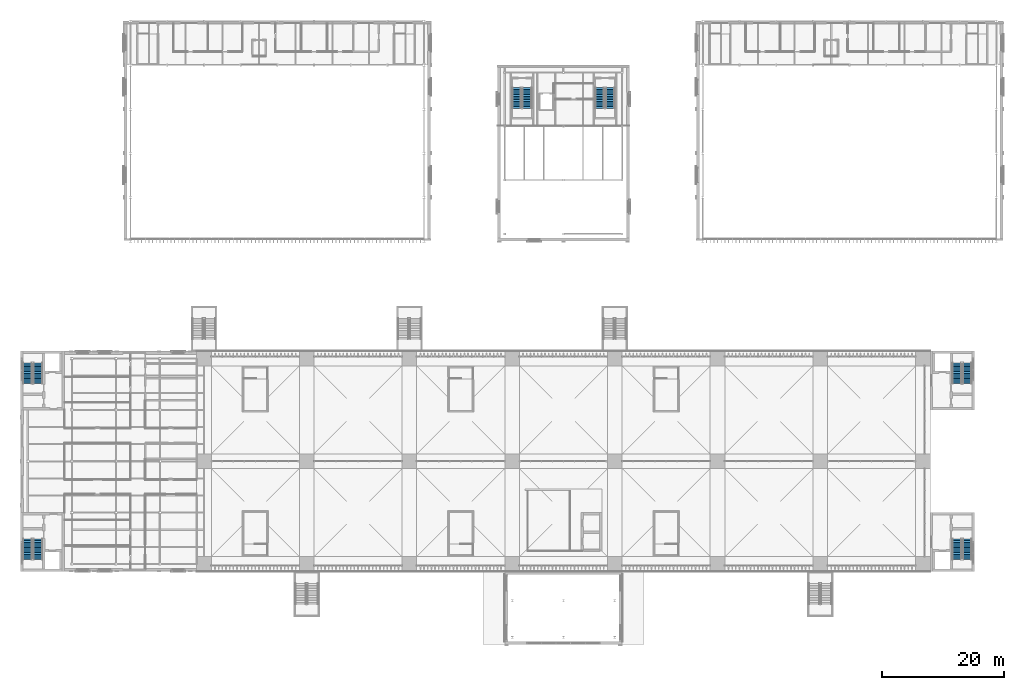
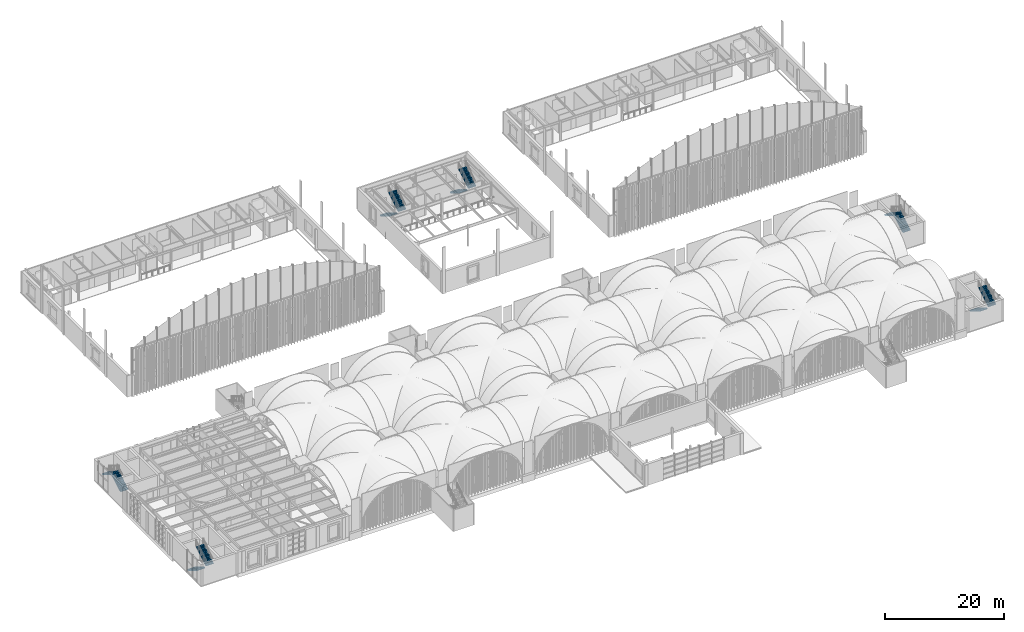
# One storey, part 105 of 169: 12 stair flights, 6 elements without a shape of their own.
"""IFC4 building model written with IfcOpenShell, lengths in metres."""

from ifc_helpers import new_model, si_unit, direction, frame, origin, place, context, subcontext, project, spatial, polyline, outline, extrude, material, type_object, element, aggregate, save


model = new_model("IFC4")

# Units and contexts
model_context = context("Model", 3, precision=1e-05, world=origin(), true_north=direction((0.0, 1.0)))
body_context = subcontext(model_context, "Body", "Model", "MODEL_VIEW")
ifc_project = project(units=[si_unit("LENGTHUNIT", "METRE"), si_unit("AREAUNIT", "SQUARE_METRE"), si_unit("VOLUMEUNIT", "CUBIC_METRE"), si_unit("PLANEANGLEUNIT", "RADIAN"), si_unit("MASSUNIT", "GRAM", prefix="KILO")], contexts=[model_context])

# Site, building, storey
site_placement = place(None, origin())
site = spatial("IfcSite", under=ifc_project, at=site_placement, CompositionType="ELEMENT")
building_placement = place(site_placement, origin())
building = spatial("IfcBuilding", under=site, at=building_placement, Name="Verrick Yard Athletic Hall", CompositionType="ELEMENT")
storey_placement = place(building_placement, frame((0.0, 0.0, 4.39990234375)))
storey = spatial("IfcBuildingStorey", under=building, at=storey_placement, Name="L01", CompositionType="ELEMENT", Elevation=4.39990234375)

# Stair, stair flights
ifc_material = material(Name="Concrete 35 MPa", Category="concrete")
stair_type = type_object("IfcStairType", Name="Stair ST1 1500 wide 26 risers", PredefinedType="HALF_TURN_STAIR", material=ifc_material)
stair_1_placement = place(storey_placement, origin())
stair_1 = element("IfcStair", 1, at=stair_1_placement, inside=storey, type_object=stair_type, Name="Wing south-west stair L01", PredefinedType="HALF_TURN_STAIR")
stair_flight_type = type_object("IfcStairFlightType", Name="Stair flight SF1 1500 wide 13 risers", PredefinedType="STRAIGHT", material=ifc_material)
stair_flight_1_placement = place(storey_placement, frame((11.14990234375, 23.300048828125, 0.0), z_axis=(0.0, 0.0, 1.0), x_axis=(0.0, -1.0, 0.0)))
stair_flight_1 = element("IfcStairFlight", 2, at=stair_flight_1_placement, type_object=stair_flight_type, Name="ST1 flight 1", NumberOfRisers=13, NumberOfTreads=12, PredefinedType="STRAIGHT", RiserHeight=0.169230769, TreadLength=0.28, context=body_context, shape_type="SweptSolid", body=[
    extrude(outline(polyline([(0.0, 0.0), (0.0, 0.169189453125), (0.280029296875, 0.169189453125), (0.280029296875, 0.33837890625), (0.56005859375, 0.33837890625), (0.56005859375, 0.5078125), (0.840087890625, 0.5078125), (0.840087890625, 0.677001953125), (1.1201171875, 0.677001953125), (1.1201171875, 0.84619140625), (1.39990234375, 0.84619140625), (1.39990234375, 1.015380859375), (1.679931640625, 1.015380859375), (1.679931640625, 1.1845703125), (1.9599609375, 1.1845703125), (1.9599609375, 1.353759765625), (2.239990234375, 1.353759765625), (2.239990234375, 1.523193359375), (2.52001953125, 1.523193359375), (2.52001953125, 1.6923828125), (2.800048828125, 1.6923828125), (2.800048828125, 1.861572265625), (3.080078125, 1.861572265625), (3.080078125, 2.03076171875), (3.360107421875, 2.03076171875), (3.360107421875, 2.199951171875), (3.360107421875, 1.855712890625), (0.289794921875, 0.0), (0.0, 0.0)])), frame((0.0, 0.75, 0.0), z_axis=(0.0, -1.0, 0.0), x_axis=(1.0, 0.0, 0.0)), (0.0, 0.0, 1.0), 1.5),
])
stair_flight_2_placement = place(storey_placement, frame((12.85009765625, 19.93994140625, 2.2001953125), z_axis=(0.0, 0.0, 1.0), x_axis=(0.0, 1.0, 0.0)))
stair_flight_2 = element("IfcStairFlight", 3, at=stair_flight_2_placement, type_object=stair_flight_type, Name="ST1 flight 2", NumberOfRisers=13, NumberOfTreads=12, PredefinedType="STRAIGHT", RiserHeight=0.169230769, TreadLength=0.28, context=body_context, shape_type="SweptSolid", body=[
    extrude(outline(polyline([(0.0, 0.0), (0.0, 0.169189453125), (0.280029296875, 0.169189453125), (0.280029296875, 0.33837890625), (0.56005859375, 0.33837890625), (0.56005859375, 0.5078125), (0.840087890625, 0.5078125), (0.840087890625, 0.677001953125), (1.1201171875, 0.677001953125), (1.1201171875, 0.84619140625), (1.39990234375, 0.84619140625), (1.39990234375, 1.015380859375), (1.679931640625, 1.015380859375), (1.679931640625, 1.1845703125), (1.9599609375, 1.1845703125), (1.9599609375, 1.353759765625), (2.239990234375, 1.353759765625), (2.239990234375, 1.523193359375), (2.52001953125, 1.523193359375), (2.52001953125, 1.6923828125), (2.800048828125, 1.6923828125), (2.800048828125, 1.861572265625), (3.080078125, 1.861572265625), (3.080078125, 2.03076171875), (3.360107421875, 2.03076171875), (3.360107421875, 2.199951171875), (3.360107421875, 1.855712890625), (0.289794921875, 0.0), (0.0, 0.0)])), frame((0.0, 0.75, 0.0), z_axis=(0.0, -1.0, 0.0), x_axis=(1.0, 0.0, 0.0)), (0.0, 0.0, 1.0), 1.5),
])
aggregate(stair_1, [stair_flight_1, stair_flight_2])

stair_2_placement = place(storey_placement, origin())
stair_2 = element("IfcStair", 4, at=stair_2_placement, inside=storey, type_object=stair_type, Name="Wing north-west stair L01", PredefinedType="HALF_TURN_STAIR")
stair_flight_3_placement = place(storey_placement, frame((12.85009765625, 48.699951171875, 0.0), z_axis=(0.0, 0.0, 1.0), x_axis=(0.0, 1.0, 0.0)))
stair_flight_3 = element("IfcStairFlight", 5, at=stair_flight_3_placement, type_object=stair_flight_type, Name="ST1 flight 1", NumberOfRisers=13, NumberOfTreads=12, PredefinedType="STRAIGHT", RiserHeight=0.169230769, TreadLength=0.28, context=body_context, shape_type="SweptSolid", body=[
    extrude(outline(polyline([(0.0, 0.0), (0.0, 0.169189453125), (0.280029296875, 0.169189453125), (0.280029296875, 0.33837890625), (0.56005859375, 0.33837890625), (0.56005859375, 0.5078125), (0.840087890625, 0.5078125), (0.840087890625, 0.677001953125), (1.1201171875, 0.677001953125), (1.1201171875, 0.84619140625), (1.39990234375, 0.84619140625), (1.39990234375, 1.015380859375), (1.679931640625, 1.015380859375), (1.679931640625, 1.1845703125), (1.9599609375, 1.1845703125), (1.9599609375, 1.353759765625), (2.239990234375, 1.353759765625), (2.239990234375, 1.523193359375), (2.52001953125, 1.523193359375), (2.52001953125, 1.6923828125), (2.800048828125, 1.6923828125), (2.800048828125, 1.861572265625), (3.080078125, 1.861572265625), (3.080078125, 2.03076171875), (3.360107421875, 2.03076171875), (3.360107421875, 2.199951171875), (3.360107421875, 1.855712890625), (0.289794921875, 0.0), (0.0, 0.0)])), frame((0.0, 0.75, 0.0), z_axis=(0.0, -1.0, 0.0), x_axis=(1.0, 0.0, 0.0)), (0.0, 0.0, 1.0), 1.5),
])
stair_flight_4_placement = place(storey_placement, frame((11.14990234375, 52.06005859375, 2.2001953125), z_axis=(0.0, 0.0, 1.0), x_axis=(0.0, -1.0, 0.0)))
stair_flight_4 = element("IfcStairFlight", 6, at=stair_flight_4_placement, type_object=stair_flight_type, Name="ST1 flight 2", NumberOfRisers=13, NumberOfTreads=12, PredefinedType="STRAIGHT", RiserHeight=0.169230769, TreadLength=0.28, context=body_context, shape_type="SweptSolid", body=[
    extrude(outline(polyline([(0.0, 0.0), (0.0, 0.169189453125), (0.280029296875, 0.169189453125), (0.280029296875, 0.33837890625), (0.56005859375, 0.33837890625), (0.56005859375, 0.5078125), (0.840087890625, 0.5078125), (0.840087890625, 0.677001953125), (1.1201171875, 0.677001953125), (1.1201171875, 0.84619140625), (1.39990234375, 0.84619140625), (1.39990234375, 1.015380859375), (1.679931640625, 1.015380859375), (1.679931640625, 1.1845703125), (1.9599609375, 1.1845703125), (1.9599609375, 1.353759765625), (2.239990234375, 1.353759765625), (2.239990234375, 1.523193359375), (2.52001953125, 1.523193359375), (2.52001953125, 1.6923828125), (2.800048828125, 1.6923828125), (2.800048828125, 1.861572265625), (3.080078125, 1.861572265625), (3.080078125, 2.03076171875), (3.360107421875, 2.03076171875), (3.360107421875, 2.199951171875), (3.360107421875, 1.855712890625), (0.289794921875, 0.0), (0.0, 0.0)])), frame((0.0, 0.75, 0.0), z_axis=(0.0, -1.0, 0.0), x_axis=(1.0, 0.0, 0.0)), (0.0, 0.0, 1.0), 1.5),
])
aggregate(stair_2, [stair_flight_3, stair_flight_4])

stair_3_placement = place(storey_placement, origin())
stair_3 = element("IfcStair", 7, at=stair_3_placement, inside=storey, type_object=stair_type, Name="Plinth south-east stair L01", PredefinedType="HALF_TURN_STAIR")
stair_flight_5_placement = place(storey_placement, frame((163.14990234375, 23.300048828125, 0.0), z_axis=(0.0, 0.0, 1.0), x_axis=(0.0, -1.0, 0.0)))
stair_flight_5 = element("IfcStairFlight", 8, at=stair_flight_5_placement, type_object=stair_flight_type, Name="ST1 flight 1", NumberOfRisers=13, NumberOfTreads=12, PredefinedType="STRAIGHT", RiserHeight=0.169230769, TreadLength=0.28, context=body_context, shape_type="SweptSolid", body=[
    extrude(outline(polyline([(0.0, 0.0), (0.0, 0.169189453125), (0.280029296875, 0.169189453125), (0.280029296875, 0.33837890625), (0.56005859375, 0.33837890625), (0.56005859375, 0.5078125), (0.840087890625, 0.5078125), (0.840087890625, 0.677001953125), (1.1201171875, 0.677001953125), (1.1201171875, 0.84619140625), (1.39990234375, 0.84619140625), (1.39990234375, 1.015380859375), (1.679931640625, 1.015380859375), (1.679931640625, 1.1845703125), (1.9599609375, 1.1845703125), (1.9599609375, 1.353759765625), (2.239990234375, 1.353759765625), (2.239990234375, 1.523193359375), (2.52001953125, 1.523193359375), (2.52001953125, 1.6923828125), (2.800048828125, 1.6923828125), (2.800048828125, 1.861572265625), (3.080078125, 1.861572265625), (3.080078125, 2.03076171875), (3.360107421875, 2.03076171875), (3.360107421875, 2.199951171875), (3.360107421875, 1.855712890625), (0.289794921875, 0.0), (0.0, 0.0)])), frame((0.0, 0.75, 0.0), z_axis=(0.0, -1.0, 0.0), x_axis=(1.0, 0.0, 0.0)), (0.0, 0.0, 1.0), 1.5),
])
stair_flight_6_placement = place(storey_placement, frame((164.85009765625, 19.93994140625, 2.2001953125), z_axis=(0.0, 0.0, 1.0), x_axis=(0.0, 1.0, 0.0)))
stair_flight_6 = element("IfcStairFlight", 9, at=stair_flight_6_placement, type_object=stair_flight_type, Name="ST1 flight 2", NumberOfRisers=13, NumberOfTreads=12, PredefinedType="STRAIGHT", RiserHeight=0.169230769, TreadLength=0.28, context=body_context, shape_type="SweptSolid", body=[
    extrude(outline(polyline([(0.0, 0.0), (0.0, 0.169189453125), (0.280029296875, 0.169189453125), (0.280029296875, 0.33837890625), (0.56005859375, 0.33837890625), (0.56005859375, 0.5078125), (0.840087890625, 0.5078125), (0.840087890625, 0.677001953125), (1.1201171875, 0.677001953125), (1.1201171875, 0.84619140625), (1.39990234375, 0.84619140625), (1.39990234375, 1.015380859375), (1.679931640625, 1.015380859375), (1.679931640625, 1.1845703125), (1.9599609375, 1.1845703125), (1.9599609375, 1.353759765625), (2.239990234375, 1.353759765625), (2.239990234375, 1.523193359375), (2.52001953125, 1.523193359375), (2.52001953125, 1.6923828125), (2.800048828125, 1.6923828125), (2.800048828125, 1.861572265625), (3.080078125, 1.861572265625), (3.080078125, 2.03076171875), (3.360107421875, 2.03076171875), (3.360107421875, 2.199951171875), (3.360107421875, 1.855712890625), (0.289794921875, 0.0), (0.0, 0.0)])), frame((0.0, 0.75, 0.0), z_axis=(0.0, -1.0, 0.0), x_axis=(1.0, 0.0, 0.0)), (0.0, 0.0, 1.0), 1.5),
])
aggregate(stair_3, [stair_flight_5, stair_flight_6])

stair_4_placement = place(storey_placement, origin())
stair_4 = element("IfcStair", 10, at=stair_4_placement, inside=storey, type_object=stair_type, Name="Plinth north-east stair L01", PredefinedType="HALF_TURN_STAIR")
stair_flight_7_placement = place(storey_placement, frame((164.85009765625, 48.699951171875, 0.0), z_axis=(0.0, 0.0, 1.0), x_axis=(0.0, 1.0, 0.0)))
stair_flight_7 = element("IfcStairFlight", 11, at=stair_flight_7_placement, type_object=stair_flight_type, Name="ST1 flight 1", NumberOfRisers=13, NumberOfTreads=12, PredefinedType="STRAIGHT", RiserHeight=0.169230769, TreadLength=0.28, context=body_context, shape_type="SweptSolid", body=[
    extrude(outline(polyline([(0.0, 0.0), (0.0, 0.169189453125), (0.280029296875, 0.169189453125), (0.280029296875, 0.33837890625), (0.56005859375, 0.33837890625), (0.56005859375, 0.5078125), (0.840087890625, 0.5078125), (0.840087890625, 0.677001953125), (1.1201171875, 0.677001953125), (1.1201171875, 0.84619140625), (1.39990234375, 0.84619140625), (1.39990234375, 1.015380859375), (1.679931640625, 1.015380859375), (1.679931640625, 1.1845703125), (1.9599609375, 1.1845703125), (1.9599609375, 1.353759765625), (2.239990234375, 1.353759765625), (2.239990234375, 1.523193359375), (2.52001953125, 1.523193359375), (2.52001953125, 1.6923828125), (2.800048828125, 1.6923828125), (2.800048828125, 1.861572265625), (3.080078125, 1.861572265625), (3.080078125, 2.03076171875), (3.360107421875, 2.03076171875), (3.360107421875, 2.199951171875), (3.360107421875, 1.855712890625), (0.289794921875, 0.0), (0.0, 0.0)])), frame((0.0, 0.75, 0.0), z_axis=(0.0, -1.0, 0.0), x_axis=(1.0, 0.0, 0.0)), (0.0, 0.0, 1.0), 1.5),
])
stair_flight_8_placement = place(storey_placement, frame((163.14990234375, 52.06005859375, 2.2001953125), z_axis=(0.0, 0.0, 1.0), x_axis=(0.0, -1.0, 0.0)))
stair_flight_8 = element("IfcStairFlight", 12, at=stair_flight_8_placement, type_object=stair_flight_type, Name="ST1 flight 2", NumberOfRisers=13, NumberOfTreads=12, PredefinedType="STRAIGHT", RiserHeight=0.169230769, TreadLength=0.28, context=body_context, shape_type="SweptSolid", body=[
    extrude(outline(polyline([(0.0, 0.0), (0.0, 0.169189453125), (0.280029296875, 0.169189453125), (0.280029296875, 0.33837890625), (0.56005859375, 0.33837890625), (0.56005859375, 0.5078125), (0.840087890625, 0.5078125), (0.840087890625, 0.677001953125), (1.1201171875, 0.677001953125), (1.1201171875, 0.84619140625), (1.39990234375, 0.84619140625), (1.39990234375, 1.015380859375), (1.679931640625, 1.015380859375), (1.679931640625, 1.1845703125), (1.9599609375, 1.1845703125), (1.9599609375, 1.353759765625), (2.239990234375, 1.353759765625), (2.239990234375, 1.523193359375), (2.52001953125, 1.523193359375), (2.52001953125, 1.6923828125), (2.800048828125, 1.6923828125), (2.800048828125, 1.861572265625), (3.080078125, 1.861572265625), (3.080078125, 2.03076171875), (3.360107421875, 2.03076171875), (3.360107421875, 2.199951171875), (3.360107421875, 1.855712890625), (0.289794921875, 0.0), (0.0, 0.0)])), frame((0.0, 0.75, 0.0), z_axis=(0.0, -1.0, 0.0), x_axis=(1.0, 0.0, 0.0)), (0.0, 0.0, 1.0), 1.5),
])
aggregate(stair_4, [stair_flight_7, stair_flight_8])

stair_5_placement = place(storey_placement, origin())
stair_5 = element("IfcStair", 13, at=stair_5_placement, inside=storey, type_object=stair_type, Name="Climbing hall east stair L01", PredefinedType="HALF_TURN_STAIR")
stair_flight_9_placement = place(storey_placement, frame((104.75, 97.10009765625, 0.0), z_axis=(0.0, 0.0, 1.0), x_axis=(0.0, -1.0, 0.0)))
stair_flight_9 = element("IfcStairFlight", 14, at=stair_flight_9_placement, type_object=stair_flight_type, Name="ST1 flight 1", NumberOfRisers=13, NumberOfTreads=12, PredefinedType="STRAIGHT", RiserHeight=0.169230769, TreadLength=0.28, context=body_context, shape_type="SweptSolid", body=[
    extrude(outline(polyline([(0.0, 0.0), (0.0, 0.169189453125), (0.280029296875, 0.169189453125), (0.280029296875, 0.33837890625), (0.56005859375, 0.33837890625), (0.56005859375, 0.5078125), (0.840087890625, 0.5078125), (0.840087890625, 0.677001953125), (1.1201171875, 0.677001953125), (1.1201171875, 0.84619140625), (1.39990234375, 0.84619140625), (1.39990234375, 1.015380859375), (1.679931640625, 1.015380859375), (1.679931640625, 1.1845703125), (1.9599609375, 1.1845703125), (1.9599609375, 1.353759765625), (2.239990234375, 1.353759765625), (2.239990234375, 1.523193359375), (2.52001953125, 1.523193359375), (2.52001953125, 1.6923828125), (2.800048828125, 1.6923828125), (2.800048828125, 1.861572265625), (3.080078125, 1.861572265625), (3.080078125, 2.03076171875), (3.360107421875, 2.03076171875), (3.360107421875, 2.199951171875), (3.360107421875, 1.855712890625), (0.289794921875, 0.0), (0.0, 0.0)])), frame((0.0, 0.75, 0.0), z_axis=(0.0, -1.0, 0.0), x_axis=(1.0, 0.0, 0.0)), (0.0, 0.0, 1.0), 1.5),
])
stair_flight_10_placement = place(storey_placement, frame((106.449951171875, 93.739990234375, 2.2001953125), z_axis=(0.0, 0.0, 1.0), x_axis=(0.0, 1.0, 0.0)))
stair_flight_10 = element("IfcStairFlight", 15, at=stair_flight_10_placement, type_object=stair_flight_type, Name="ST1 flight 2", NumberOfRisers=13, NumberOfTreads=12, PredefinedType="STRAIGHT", RiserHeight=0.169230769, TreadLength=0.28, context=body_context, shape_type="SweptSolid", body=[
    extrude(outline(polyline([(0.0, 0.0), (0.0, 0.169189453125), (0.280029296875, 0.169189453125), (0.280029296875, 0.33837890625), (0.56005859375, 0.33837890625), (0.56005859375, 0.5078125), (0.840087890625, 0.5078125), (0.840087890625, 0.677001953125), (1.1201171875, 0.677001953125), (1.1201171875, 0.84619140625), (1.39990234375, 0.84619140625), (1.39990234375, 1.015380859375), (1.679931640625, 1.015380859375), (1.679931640625, 1.1845703125), (1.9599609375, 1.1845703125), (1.9599609375, 1.353759765625), (2.239990234375, 1.353759765625), (2.239990234375, 1.523193359375), (2.52001953125, 1.523193359375), (2.52001953125, 1.6923828125), (2.800048828125, 1.6923828125), (2.800048828125, 1.861572265625), (3.080078125, 1.861572265625), (3.080078125, 2.03076171875), (3.360107421875, 2.03076171875), (3.360107421875, 2.199951171875), (3.360107421875, 1.855712890625), (0.289794921875, 0.0), (0.0, 0.0)])), frame((0.0, 0.75, 0.0), z_axis=(0.0, -1.0, 0.0), x_axis=(1.0, 0.0, 0.0)), (0.0, 0.0, 1.0), 1.5),
])
aggregate(stair_5, [stair_flight_9, stair_flight_10])

stair_6_placement = place(storey_placement, origin())
stair_6 = element("IfcStair", 16, at=stair_6_placement, inside=storey, type_object=stair_type, Name="Climbing hall west stair L01", PredefinedType="HALF_TURN_STAIR")
stair_flight_11_placement = place(storey_placement, frame((91.14990234375, 97.10009765625, 0.0), z_axis=(0.0, 0.0, 1.0), x_axis=(0.0, -1.0, 0.0)))
stair_flight_11 = element("IfcStairFlight", 17, at=stair_flight_11_placement, type_object=stair_flight_type, Name="ST1 flight 1", NumberOfRisers=13, NumberOfTreads=12, PredefinedType="STRAIGHT", RiserHeight=0.169230769, TreadLength=0.28, context=body_context, shape_type="SweptSolid", body=[
    extrude(outline(polyline([(0.0, 0.0), (0.0, 0.169189453125), (0.280029296875, 0.169189453125), (0.280029296875, 0.33837890625), (0.56005859375, 0.33837890625), (0.56005859375, 0.5078125), (0.840087890625, 0.5078125), (0.840087890625, 0.677001953125), (1.1201171875, 0.677001953125), (1.1201171875, 0.84619140625), (1.39990234375, 0.84619140625), (1.39990234375, 1.015380859375), (1.679931640625, 1.015380859375), (1.679931640625, 1.1845703125), (1.9599609375, 1.1845703125), (1.9599609375, 1.353759765625), (2.239990234375, 1.353759765625), (2.239990234375, 1.523193359375), (2.52001953125, 1.523193359375), (2.52001953125, 1.6923828125), (2.800048828125, 1.6923828125), (2.800048828125, 1.861572265625), (3.080078125, 1.861572265625), (3.080078125, 2.03076171875), (3.360107421875, 2.03076171875), (3.360107421875, 2.199951171875), (3.360107421875, 1.855712890625), (0.289794921875, 0.0), (0.0, 0.0)])), frame((0.0, 0.75, 0.0), z_axis=(0.0, -1.0, 0.0), x_axis=(1.0, 0.0, 0.0)), (0.0, 0.0, 1.0), 1.5),
])
stair_flight_12_placement = place(storey_placement, frame((92.85009765625, 93.739990234375, 2.2001953125), z_axis=(0.0, 0.0, 1.0), x_axis=(0.0, 1.0, 0.0)))
stair_flight_12 = element("IfcStairFlight", 18, at=stair_flight_12_placement, type_object=stair_flight_type, Name="ST1 flight 2", NumberOfRisers=13, NumberOfTreads=12, PredefinedType="STRAIGHT", RiserHeight=0.169230769, TreadLength=0.28, context=body_context, shape_type="SweptSolid", body=[
    extrude(outline(polyline([(0.0, 0.0), (0.0, 0.169189453125), (0.280029296875, 0.169189453125), (0.280029296875, 0.33837890625), (0.56005859375, 0.33837890625), (0.56005859375, 0.5078125), (0.840087890625, 0.5078125), (0.840087890625, 0.677001953125), (1.1201171875, 0.677001953125), (1.1201171875, 0.84619140625), (1.39990234375, 0.84619140625), (1.39990234375, 1.015380859375), (1.679931640625, 1.015380859375), (1.679931640625, 1.1845703125), (1.9599609375, 1.1845703125), (1.9599609375, 1.353759765625), (2.239990234375, 1.353759765625), (2.239990234375, 1.523193359375), (2.52001953125, 1.523193359375), (2.52001953125, 1.6923828125), (2.800048828125, 1.6923828125), (2.800048828125, 1.861572265625), (3.080078125, 1.861572265625), (3.080078125, 2.03076171875), (3.360107421875, 2.03076171875), (3.360107421875, 2.199951171875), (3.360107421875, 1.855712890625), (0.289794921875, 0.0), (0.0, 0.0)])), frame((0.0, 0.75, 0.0), z_axis=(0.0, -1.0, 0.0), x_axis=(1.0, 0.0, 0.0)), (0.0, 0.0, 1.0), 1.5),
])
aggregate(stair_6, [stair_flight_11, stair_flight_12])

save(model, "model.ifc")
